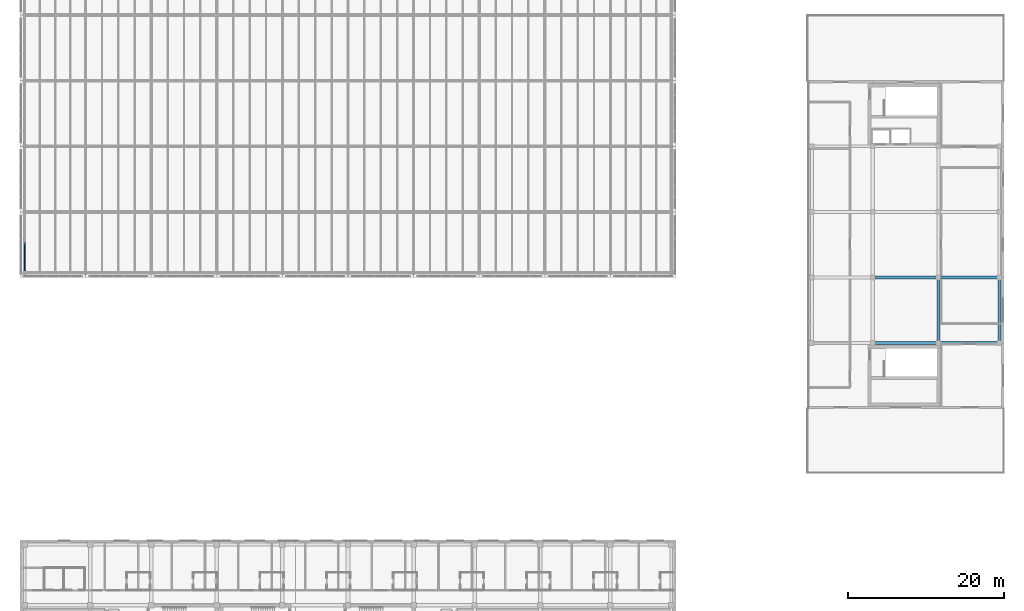
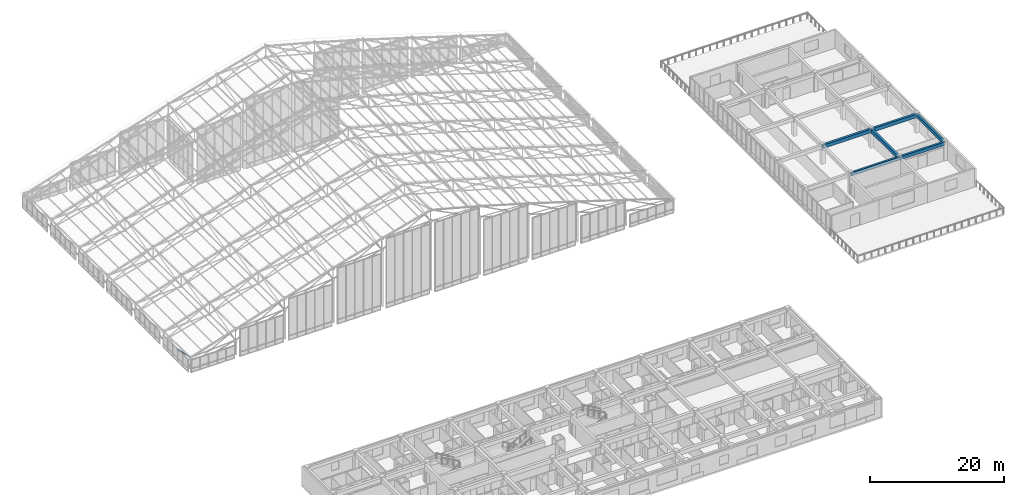
# One storey, part 28 of 144: 6 beams, 1 member.
"""IFC4 building model written with IfcOpenShell, lengths in metres."""

import ifcopenshell
import ifcopenshell.guid

model = None  # the IFC model being written
_history = None  # IfcOwnerHistory: only IFC2X3 demands one
_inside = {}  # id of a spatial element -> (the spatial element, [elements in it])
_under = {}  # id of a project, library or spatial element -> (it, [spatial elements below it])
_declared = {}  # id of a project -> (the project, [libraries it declares])
_typed = {}  # id of a type object -> (the type object, [elements of that type])
_made_of = {}  # id of a material, layer set ... -> (it, [elements and type objects made of it])


def new_model(schema):
    """Start an empty IFC model of exactly this schema.

    Asked for "IFC4X3", IfcOpenShell would pick the latest addendum, in which some entities
    have other attributes; the version numbers below select the first issue.
    IFC2X3 requires an IfcOwnerHistory on every rooted entity: one is made here for all.
    """
    global model, _history
    if schema == "IFC4X3":
        model = ifcopenshell.file(schema_version=(4, 3, 0, 0))
    else:
        model = ifcopenshell.file(schema=schema)
    _inside.clear()
    _under.clear()
    _declared.clear()
    _typed.clear()
    _made_of.clear()
    _history = None
    if model.schema == "IFC2X3":
        org = make("IfcOrganization", Name="unknown")
        user = make(
            "IfcPersonAndOrganization",
            ThePerson=make("IfcPerson", FamilyName="unknown"),
            TheOrganization=org,
        )
        app = make(
            "IfcApplication",
            ApplicationDeveloper=org,
            Version="unknown",
            ApplicationFullName="unknown",
            ApplicationIdentifier="unknown",
        )
        _history = make(
            "IfcOwnerHistory",
            OwningUser=user,
            OwningApplication=app,
            ChangeAction="ADDED",
            CreationDate=0,
        )
    return model


def make(cls, **values):
    """One entity of the class cls with the attributes given. An attribute that is None is left unset."""
    return model.create_entity(
        cls, **{name: value for name, value in values.items() if value is not None}
    )


def rooted(cls, **values):
    """An entity with a GlobalId (a new one), such as an element, a storey or a relation."""
    return make(cls, GlobalId=ifcopenshell.guid.new(), OwnerHistory=_history, **values)


def si_unit(unit_type, name, prefix=None):
    """IfcSIUnit, for example si_unit("LENGTHUNIT", "METRE", prefix="MILLI")."""
    return make("IfcSIUnit", UnitType=unit_type, Prefix=prefix, Name=name)


def assignment(units):
    """IfcUnitAssignment: the units of a project."""
    return None if units is None else make("IfcUnitAssignment", Units=units)


def point(xyz):
    """IfcCartesianPoint."""
    return None if xyz is None else make("IfcCartesianPoint", Coordinates=xyz)


def direction(xyz):
    """IfcDirection."""
    return None if xyz is None else make("IfcDirection", DirectionRatios=xyz)


def frame(location, z_axis=None, x_axis=None):
    """IfcAxis2Placement3D, a coordinate frame: its origin and axes. An axis left out is left unset."""
    return make(
        "IfcAxis2Placement3D",
        Location=point(location),
        Axis=direction(z_axis),
        RefDirection=direction(x_axis),
    )


def frame_2d(location, x_axis=None):
    """IfcAxis2Placement2D, a coordinate frame in the plane: its origin and x axis."""
    return make(
        "IfcAxis2Placement2D", Location=point(location), RefDirection=direction(x_axis)
    )


def origin():
    """The frame at (0, 0, 0) with its axes left unset."""
    return frame((0.0, 0.0, 0.0))


def origin_2d():
    """The frame at (0, 0) in the plane with its x axis left unset."""
    return frame_2d((0.0, 0.0))


def place(relative_to, where):
    """IfcLocalPlacement: puts the frame where relative to a parent placement (None: the world)."""
    return make(
        "IfcLocalPlacement", PlacementRelTo=relative_to, RelativePlacement=where
    )


def context(
    kind, dimensions, precision=None, world=None, true_north=None, identifier=None
):
    """IfcGeometricRepresentationContext, for example the 3D "Model" context."""
    return make(
        "IfcGeometricRepresentationContext",
        ContextIdentifier=identifier,
        ContextType=kind,
        CoordinateSpaceDimension=dimensions,
        Precision=precision,
        WorldCoordinateSystem=world,
        TrueNorth=true_north,
    )


def subcontext(parent, identifier, kind, view, scale=None):
    """IfcGeometricRepresentationSubContext, for example "Body" below "Model"."""
    return make(
        "IfcGeometricRepresentationSubContext",
        ContextIdentifier=identifier,
        ContextType=kind,
        ParentContext=parent,
        TargetScale=scale,
        TargetView=view,
    )


def project(units=None, contexts=None):
    """IfcProject with its units and contexts."""
    return rooted(
        "IfcProject",
        Name="project",
        RepresentationContexts=contexts,
        UnitsInContext=assignment(units),
    )


def spatial(cls, under=None, at=None, **own):
    """A site, building, storey or space (cls), placed at a placement, below another one or the project."""
    s = rooted(cls, ObjectPlacement=at, **own)
    if under is not None:
        _under.setdefault(under.id(), (under, []))[1].append(s)
    return s


def profile(cls, at=None, kind="AREA", **sizes):
    """A parametric profile (cls). Its sizes go by their IFC names, for example OverallWidth=200.0."""
    return make(cls, ProfileType=kind, Position=at, **sizes)


def rectangle(**sizes):
    """IfcRectangleProfileDef."""
    return profile("IfcRectangleProfileDef", **sizes)


def hollow_circle(**sizes):
    """IfcCircleHollowProfileDef."""
    return profile("IfcCircleHollowProfileDef", **sizes)


def extrude(swept, where, along, depth):
    """IfcExtrudedAreaSolid: the profile swept, set in the frame where, extruded along a direction by depth."""
    return make(
        "IfcExtrudedAreaSolid",
        SweptArea=swept,
        Position=where,
        ExtrudedDirection=direction(along),
        Depth=depth,
    )


def shape(context_of_items, identifier, shape_type, items):
    """IfcShapeRepresentation: the items that make up one representation, for example the "Body"."""
    return make(
        "IfcShapeRepresentation",
        ContextOfItems=context_of_items,
        RepresentationIdentifier=identifier,
        RepresentationType=shape_type,
        Items=items,
    )


def material(Name=None, Category=None):
    """IfcMaterial."""
    return make("IfcMaterial", Name=Name, Category=Category)


def material_profile(
    of_material, cross_section, Name=None, Category=None, Priority=None
):
    """IfcMaterialProfile: a cross section and its material."""
    return make(
        "IfcMaterialProfile",
        Name=Name,
        Material=of_material,
        Profile=cross_section,
        Priority=Priority,
        Category=Category,
    )


def profile_set(profiles, Name=None, composite=None):
    """IfcMaterialProfileSet."""
    return make(
        "IfcMaterialProfileSet",
        Name=Name,
        MaterialProfiles=profiles,
        CompositeProfile=composite,
    )


def made_of(thing, what):
    """Note that an element or type object is made of a material, layer set ...; save() writes the relation."""
    if what is not None:
        _made_of.setdefault(what.id(), (what, []))[1].append(thing)
    return thing


def type_object(cls, material=None, **own):
    """A type object (cls), such as IfcWallType, which elements share."""
    return made_of(rooted(cls, **own), material)


def element(
    cls,
    number,
    at=None,
    inside=None,
    cuts=None,
    type_object=None,
    material=None,
    context=None,
    identifier="Body",
    shape_type=None,
    held_by="IfcProductDefinitionShape",
    body=None,
    shapes=None,
    **own,
):
    """One element of the class cls, such as IfcWall. Its Tag is "e" and its number.

    at: its placement. inside: the storey or other place that contains it. cuts: it is an
    opening in that element (IfcRelVoidsElement). A single representation is given by context,
    identifier, shape_type and body (its items); several are given by shapes. held_by: the class
    of the entity that holds the representations. save() writes the other relations.
    """
    e = rooted(cls, Tag="e%d" % number, ObjectPlacement=at, **own)
    if body is not None:
        shapes = [shape(context, identifier, shape_type, body)]
    if shapes is not None:
        e.Representation = make(held_by, Representations=shapes)
    if inside is not None:
        _inside.setdefault(inside.id(), (inside, []))[1].append(e)
    if cuts is not None:
        rooted(
            "IfcRelVoidsElement", RelatingBuildingElement=cuts, RelatedOpeningElement=e
        )
    if type_object is not None:
        _typed.setdefault(type_object.id(), (type_object, []))[1].append(e)
    return made_of(e, material)


def aggregate(whole, parts):
    """IfcRelAggregates: a whole, such as a stair, and the parts it consists of."""
    return rooted("IfcRelAggregates", RelatingObject=whole, RelatedObjects=parts)


def save(model, path):
    """Write the relations noted so far, then the file.

    IfcRelAggregates (storeys below a building ...), IfcRelContainedInSpatialStructure (elements
    in a storey), IfcRelDefinesByType, IfcRelAssociatesMaterial and IfcRelDeclares: one each for
    every whole, place, type object, material and project.
    """
    for whole, parts in _under.values():
        aggregate(whole, parts)
    for where, things in _inside.values():
        rooted(
            "IfcRelContainedInSpatialStructure",
            RelatedElements=things,
            RelatingStructure=where,
        )
    for kind, things in _typed.values():
        rooted("IfcRelDefinesByType", RelatedObjects=things, RelatingType=kind)
    for what, things in _made_of.values():
        rooted("IfcRelAssociatesMaterial", RelatedObjects=things, RelatingMaterial=what)
    for by, libraries in _declared.values():
        rooted("IfcRelDeclares", RelatingContext=by, RelatedDefinitions=libraries)
    model.write(path)


model = new_model("IFC4")

# Units and contexts
model_context = context("Model", 3, precision=1e-05, world=origin(), true_north=direction((0.0, 1.0)))
body_context = subcontext(model_context, "Body", "Model", "MODEL_VIEW")
ifc_project = project(units=[si_unit("LENGTHUNIT", "METRE"), si_unit("AREAUNIT", "SQUARE_METRE"), si_unit("VOLUMEUNIT", "CUBIC_METRE"), si_unit("PLANEANGLEUNIT", "RADIAN"), si_unit("MASSUNIT", "GRAM", prefix="KILO")], contexts=[model_context])

# Site, building, storey
site_placement = place(None, origin())
site = spatial("IfcSite", under=ifc_project, at=site_placement, CompositionType="ELEMENT")
building_placement = place(site_placement, origin())
building = spatial("IfcBuilding", under=site, at=building_placement, Name="Zayran Congress Hotel", CompositionType="ELEMENT")
storey_placement = place(building_placement, frame((0.0, 0.0, 19.199951171875)))
storey = spatial("IfcBuildingStorey", under=building, at=storey_placement, Name="L04", CompositionType="ELEMENT", Elevation=19.199951171875)

# Beams
ifc_material_1 = material(Name="Concrete C40/50", Category="concrete")
ifc_material_profile_1 = material_profile(ifc_material_1, rectangle(XDim=0.39990234375, YDim=0.64990234375, at=origin_2d()), Name="RC 400x650")
ifc_profile_set_1 = profile_set([ifc_material_profile_1], Name="Concrete C40/50")
beam_type_1 = type_object("IfcBeamType", Name="TP-BM-03", PredefinedType="BEAM", material=ifc_profile_set_1)
beam_1_placement = place(storey_placement, frame((117.60009765625, 67.60009765625, 3.03515625), z_axis=(1.0, 0.0, 0.0), x_axis=(0.0, 1.0, 0.0)))
element("IfcBeam", 1, at=beam_1_placement, inside=storey, type_object=beam_type_1, Name="BM-V4-L04-1564", PredefinedType="BEAM", context=body_context, shape_type="SweptSolid", body=[
    extrude(rectangle(XDim=0.39990234375, YDim=0.64990234375, at=origin_2d()), origin(), (0.0, 0.0, 1.0), 8.39990234375),
])
beam_2_placement = place(storey_placement, frame((126.0, 67.60009765625, 3.03515625), z_axis=(1.0, 0.0, 0.0), x_axis=(0.0, 1.0, 0.0)))
element("IfcBeam", 2, at=beam_2_placement, inside=storey, type_object=beam_type_1, Name="BM-V4-L04-1565", PredefinedType="BEAM", context=body_context, shape_type="SweptSolid", body=[
    extrude(rectangle(XDim=0.39990234375, YDim=0.64990234375, at=origin_2d()), origin(), (0.0, 0.0, 1.0), 7.800048828125),
])
beam_3_placement = place(storey_placement, frame((126.0, 59.199951171875, 3.03515625), z_axis=(0.0, 1.0, 0.0), x_axis=(-1.0, 0.0, 0.0)))
element("IfcBeam", 3, at=beam_3_placement, inside=storey, type_object=beam_type_1, Name="BM-V4-L04-1578", PredefinedType="BEAM", context=body_context, shape_type="SweptSolid", body=[
    extrude(rectangle(XDim=0.39990234375, YDim=0.64990234375, at=origin_2d()), origin(), (0.0, 0.0, 1.0), 8.400146484375),
])
ifc_material_profile_2 = material_profile(ifc_material_1, rectangle(XDim=0.35009765625, YDim=0.60009765625, at=origin_2d()), Name="RC 350x600")
ifc_profile_set_2 = profile_set([ifc_material_profile_2], Name="Concrete C40/50")
beam_type_2 = type_object("IfcBeamType", Name="TP-SP-01", PredefinedType="SPANDREL", material=ifc_profile_set_2)
beam_4_placement = place(storey_placement, frame((117.60009765625, 59.199951171875, 3.06005859375), z_axis=(1.0, 0.0, 0.0), x_axis=(0.0, 1.0, 0.0)))
element("IfcBeam", 4, at=beam_4_placement, inside=storey, type_object=beam_type_2, Name="BM-V4-L04-1561", PredefinedType="SPANDREL", context=body_context, shape_type="SweptSolid", body=[
    extrude(rectangle(XDim=0.35009765625, YDim=0.60009765625, at=origin_2d()), origin(), (0.0, 0.0, 1.0), 8.39990234375),
])
beam_5_placement = place(storey_placement, frame((126.0, 59.199951171875, 3.06005859375), z_axis=(1.0, 0.0, 0.0), x_axis=(0.0, 1.0, 0.0)))
element("IfcBeam", 5, at=beam_5_placement, inside=storey, type_object=beam_type_2, Name="BM-V4-L04-1562", PredefinedType="SPANDREL", context=body_context, shape_type="SweptSolid", body=[
    extrude(rectangle(XDim=0.35009765625, YDim=0.60009765625, at=origin_2d()), origin(), (0.0, 0.0, 1.0), 7.800048828125),
])
beam_6_placement = place(storey_placement, frame((133.800048828125, 59.199951171875, 3.06005859375), z_axis=(0.0, 1.0, 0.0), x_axis=(-1.0, 0.0, 0.0)))
element("IfcBeam", 6, at=beam_6_placement, inside=storey, type_object=beam_type_2, Name="BM-V4-L04-1581", PredefinedType="SPANDREL", context=body_context, shape_type="SweptSolid", body=[
    extrude(rectangle(XDim=0.35009765625, YDim=0.60009765625, at=origin_2d()), origin(), (0.0, 0.0, 1.0), 8.400146484375),
])

# Member
ifc_material_2 = material(Name="Steel S355", Category="steel")
ifc_material_profile_3 = material_profile(ifc_material_2, hollow_circle(Radius=0.05712890625, WallThickness=0.00634765625, at=origin_2d()), Name="CHS 114.3x6.3")
ifc_profile_set_3 = profile_set([ifc_material_profile_3], Name="Steel S355")
member_type = type_object("IfcMemberType", Name="TP-SF-DG3", PredefinedType="BRACE", material=ifc_profile_set_3)
member_placement = place(storey_placement, frame((9.0, 68.199951171875, 2.19140625), z_axis=(0.0, 0.979813166371, -0.199915379616), x_axis=(-1.0, 0.0, 0.0)))
element("IfcMember", 7, at=member_placement, inside=storey, type_object=member_type, Name="Space Frame Bracing Diagonal Y Upper 8", PredefinedType="BRACE", context=body_context, shape_type="SweptSolid", body=[
    extrude(hollow_circle(Radius=0.05712890625, WallThickness=0.00634765625, at=origin_2d()), origin(), (0.0, 0.0, 1.0), 3.96533203125),
])

save(model, "model.ifc")
